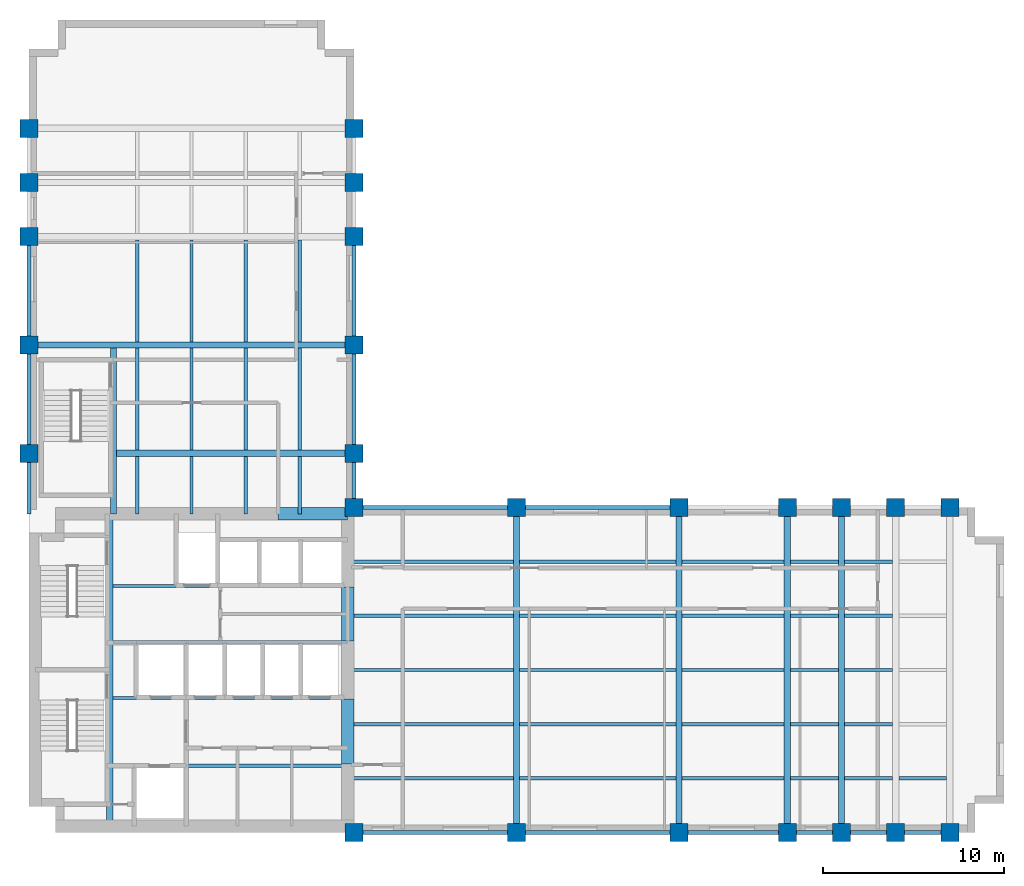
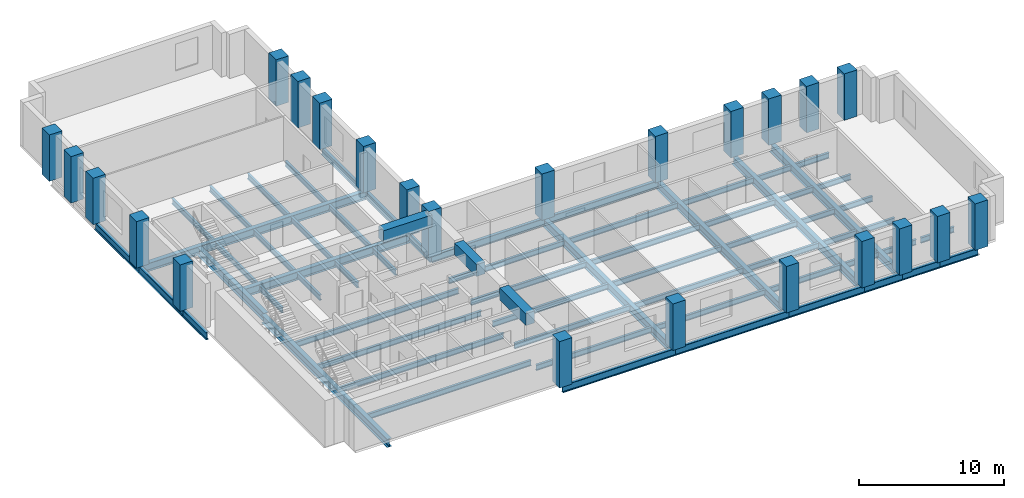
# One storey, part 1 of 7: 67 beams, 24 columns.
"""IFC4 building model written with IfcOpenShell, lengths in metres."""

from ifc_helpers import new_model, si_unit, direction, frame, origin, origin_2d, place, context, subcontext, project, spatial, rectangle, i_section, extrude, material, material_profile, profile_set, type_object, element, save


model = new_model("IFC4")

# Units and contexts
model_context = context("Model", 3, precision=1e-05, world=origin(), true_north=direction((0.0, 1.0)))
body_context = subcontext(model_context, "Body", "Model", "MODEL_VIEW")
ifc_project = project(units=[si_unit("LENGTHUNIT", "METRE"), si_unit("AREAUNIT", "SQUARE_METRE"), si_unit("VOLUMEUNIT", "CUBIC_METRE"), si_unit("PLANEANGLEUNIT", "RADIAN"), si_unit("MASSUNIT", "GRAM", prefix="KILO")], contexts=[model_context])

# Site, building, storey
site_placement = place(None, origin())
site = spatial("IfcSite", under=ifc_project, at=site_placement, CompositionType="ELEMENT")
building_placement = place(site_placement, origin())
building = spatial("IfcBuilding", under=site, at=building_placement, Name="Mawjdan Bourse Tower", CompositionType="ELEMENT")
storey_placement = place(building_placement, frame((0.0, 0.0, 136.199951171875)))
storey = spatial("IfcBuildingStorey", under=building, at=storey_placement, Name="L32", CompositionType="ELEMENT", Elevation=136.199951171875)

# Columns
ifc_material_1 = material(Name="Concrete C70/85", Category="concrete")
ifc_material_profile_1 = material_profile(ifc_material_1, rectangle(XDim=1.0, YDim=1.0, at=origin_2d()), Name="RC1000X1000")
ifc_profile_set_1 = profile_set([ifc_material_profile_1], Name="Concrete C70/85")
column_type = type_object("IfcColumnType", Name="COL-RC1000X1000", PredefinedType="COLUMN", material=ifc_profile_set_1)
for number, where, z_axis, x_axis, name in (
    (1, (24.0, 3.0, 0.0), (0.0, 0.0, 1.0), (1.0, 0.0, 0.0), "L32 Structural Column C-X240-Y30"),
    (2, (24.0, 21.0, 0.0), (0.0, 0.0, 1.0), (1.0, 0.0, 0.0), "L32 Structural Column C-X240-Y210"),
    (3, (33.0, 3.0, 0.0), (0.0, 0.0, 1.0), (1.0, 0.0, 0.0), "L32 Structural Column C-X330-Y30"),
    (4, (33.0, 21.0, 0.0), (0.0, 0.0, 1.0), (1.0, 0.0, 0.0), "L32 Structural Column C-X330-Y210"),
    (5, (42.0, 3.0, 0.0), (0.0, 0.0, 1.0), (1.0, 0.0, 0.0), "L32 Structural Column C-X420-Y30"),
    (6, (42.0, 21.0, 0.0), (0.0, 0.0, 1.0), (1.0, 0.0, 0.0), "L32 Structural Column C-X420-Y210"),
    (7, (48.0, 3.0, 0.0), (0.0, 0.0, 1.0), (1.0, 0.0, 0.0), "L32 Structural Column C-X480-Y30"),
    (8, (48.0, 21.0, 0.0), (0.0, 0.0, 1.0), (1.0, 0.0, 0.0), "L32 Structural Column C-X480-Y210"),
    (9, (51.0, 3.0, 0.0), (0.0, 0.0, 1.0), (1.0, 0.0, 0.0), "L32 Structural Column C-X510-Y30"),
    (10, (51.0, 21.0, 0.0), (0.0, 0.0, 1.0), (1.0, 0.0, 0.0), "L32 Structural Column C-X510-Y210"),
    (11, (54.0, 3.0, 0.0), (0.0, 0.0, 1.0), (1.0, 0.0, 0.0), "L32 Structural Column C-X540-Y30"),
    (12, (54.0, 21.0, 0.0), (0.0, 0.0, 1.0), (1.0, 0.0, 0.0), "L32 Structural Column C-X540-Y210"),
    (13, (57.0, 3.0, 0.0), (0.0, 0.0, 1.0), (1.0, 0.0, 0.0), "L32 Structural Column C-X570-Y30"),
    (14, (57.0, 21.0, 0.0), (0.0, 0.0, 1.0), (1.0, 0.0, 0.0), "L32 Structural Column C-X570-Y210"),
    (15, (6.0, 24.0, 0.0), (0.0, 0.0, 1.0), (1.0, 0.0, 0.0), "L32 Structural Column C-X60-Y240"),
    (16, (24.0, 24.0, 0.0), (0.0, 0.0, 1.0), (1.0, 0.0, 0.0), "L32 Structural Column C-X240-Y240"),
    (17, (6.0, 30.0, 0.0), (0.0, 0.0, 1.0), (1.0, 0.0, 0.0), "L32 Structural Column C-X60-Y300"),
    (18, (24.0, 30.0, 0.0), (0.0, 0.0, 1.0), (1.0, 0.0, 0.0), "L32 Structural Column C-X240-Y300"),
    (19, (6.0, 36.0, 0.0), (0.0, 0.0, 1.0), (1.0, 0.0, 0.0), "L32 Structural Column C-X60-Y360"),
    (20, (24.0, 36.0, 0.0), (0.0, 0.0, 1.0), (1.0, 0.0, 0.0), "L32 Structural Column C-X240-Y360"),
    (21, (6.0, 39.0, 0.0), (0.0, 0.0, 1.0), (1.0, 0.0, 0.0), "L32 Structural Column C-X60-Y390"),
    (22, (24.0, 39.0, 0.0), (0.0, 0.0, 1.0), (1.0, 0.0, 0.0), "L32 Structural Column C-X240-Y390"),
    (23, (6.0, 42.0, 0.0), (0.0, 0.0, 1.0), (1.0, 0.0, 0.0), "L32 Structural Column C-X60-Y420"),
    (24, (24.0, 42.0, 0.0), (0.0, 0.0, 1.0), (1.0, 0.0, 0.0), "L32 Structural Column C-X240-Y420"),
):
    element("IfcColumn", number, at=place(storey_placement, frame(where, z_axis=z_axis, x_axis=x_axis)), inside=storey, type_object=column_type, Name=name, PredefinedType="COLUMN", context=body_context, shape_type="SweptSolid", body=[
        extrude(rectangle(XDim=1.0, YDim=1.0, at=origin_2d()), origin(), (0.0, 0.0, 1.0), 3.900146484375),
    ])

# Beams
ifc_material_2 = material(Name="Structural Steel S355", Category="steel")
ifc_material_profile_2 = material_profile(ifc_material_2, i_section(OverallWidth=0.35498046875, OverallDepth=0.696044921875, WebThickness=0.015380859375, FlangeThickness=0.02490234375, FilletRadius=0.019775390625, at=origin_2d()), Name="W27X146")
ifc_profile_set_2 = profile_set([ifc_material_profile_2], Name="Structural Steel S355")
beam_type_1 = type_object("IfcBeamType", Name="GRD-W27X146", PredefinedType="BEAM", material=ifc_profile_set_2)
beam_1_placement = place(storey_placement, frame((10.47998046875, 3.35009765625, -0.5478515625), z_axis=(0.0, 1.0, 0.0), x_axis=(-1.0, 0.0, 0.0)))
element("IfcBeam", 25, at=beam_1_placement, inside=storey, type_object=beam_type_1, Name="L32 Core Stair Trimmer Girder 001", PredefinedType="BEAM", context=body_context, shape_type="SweptSolid", body=[
    extrude(i_section(OverallWidth=0.35498046875, OverallDepth=0.696044921875, WebThickness=0.015380859375, FlangeThickness=0.02490234375, FilletRadius=0.019775390625, at=origin_2d()), origin(), (0.0, 0.0, 1.0), 17.2998046875),
])
for number, where, z_axis, x_axis, name in (
    (26, (33.0, 3.0, -0.5478515625), (0.0, 1.0, 0.0), (-1.0, 0.0, 0.0), "L32 East Wing Clear-Span Girder 002"),
    (27, (42.0, 3.0, -0.5478515625), (0.0, 1.0, 0.0), (-1.0, 0.0, 0.0), "L32 East Wing Clear-Span Girder 003"),
    (28, (48.0, 3.0, -0.5478515625), (0.0, 1.0, 0.0), (-1.0, 0.0, 0.0), "L32 East Wing Clear-Span Girder 004"),
    (29, (51.0, 3.0, -0.5478515625), (0.0, 1.0, 0.0), (-1.0, 0.0, 0.0), "L32 East Wing Clear-Span Girder 005"),
):
    element("IfcBeam", number, at=place(storey_placement, frame(where, z_axis=z_axis, x_axis=x_axis)), inside=storey, type_object=beam_type_1, Name=name, PredefinedType="BEAM", context=body_context, shape_type="SweptSolid", body=[
        extrude(i_section(OverallWidth=0.35498046875, OverallDepth=0.696044921875, WebThickness=0.015380859375, FlangeThickness=0.02490234375, FilletRadius=0.019775390625, at=origin_2d()), origin(), (0.0, 0.0, 1.0), 18.0),
    ])
beam_2_placement = place(storey_placement, frame((10.679931640625, 20.64990234375, -0.5478515625), z_axis=(0.0, 1.0, 0.0), x_axis=(-1.0, 0.0, 0.0)))
element("IfcBeam", 30, at=beam_2_placement, inside=storey, type_object=beam_type_1, Name="L32 North Wing Stair Trimmer Girder 054", PredefinedType="BEAM", context=body_context, shape_type="SweptSolid", body=[
    extrude(i_section(OverallWidth=0.35498046875, OverallDepth=0.696044921875, WebThickness=0.015380859375, FlangeThickness=0.02490234375, FilletRadius=0.019775390625, at=origin_2d()), origin(), (0.0, 0.0, 1.0), 9.174560546875),
])
beam_3_placement = place(storey_placement, frame((10.85546875, 24.0, -0.5478515625), z_axis=(1.0, 0.0, 0.0), x_axis=(0.0, 1.0, 0.0)))
element("IfcBeam", 31, at=beam_3_placement, inside=storey, type_object=beam_type_1, Name="L32 North Wing Clear-Span Girder 055", PredefinedType="BEAM", context=body_context, shape_type="SweptSolid", body=[
    extrude(i_section(OverallWidth=0.35498046875, OverallDepth=0.696044921875, WebThickness=0.015380859375, FlangeThickness=0.02490234375, FilletRadius=0.019775390625, at=origin_2d()), origin(), (0.0, 0.0, 1.0), 13.14453125),
])
beam_4_placement = place(storey_placement, frame((6.0, 30.0, -0.5478515625), z_axis=(1.0, 0.0, 0.0), x_axis=(0.0, 1.0, 0.0)))
element("IfcBeam", 32, at=beam_4_placement, inside=storey, type_object=beam_type_1, Name="L32 North Wing Clear-Span Girder 056", PredefinedType="BEAM", context=body_context, shape_type="SweptSolid", body=[
    extrude(i_section(OverallWidth=0.35498046875, OverallDepth=0.696044921875, WebThickness=0.015380859375, FlangeThickness=0.02490234375, FilletRadius=0.019775390625, at=origin_2d()), origin(), (0.0, 0.0, 1.0), 18.0),
])
ifc_material_profile_3 = material_profile(ifc_material_2, i_section(OverallWidth=0.18994140625, OverallDepth=0.45703125, WebThickness=0.009033203125, FlangeThickness=0.014404296875, FilletRadius=0.01171875, at=origin_2d()), Name="W18X50")
ifc_profile_set_3 = profile_set([ifc_material_profile_3], Name="Structural Steel S355")
beam_type_2 = type_object("IfcBeamType", Name="JST-W18X50", PredefinedType="JOIST", material=ifc_profile_set_3)
beam_5_placement = place(storey_placement, frame((23.64990234375, 6.0, -0.428466796875), z_axis=(1.0, 0.0, 0.0), x_axis=(0.0, 1.0, 0.0)))
element("IfcBeam", 33, at=beam_5_placement, inside=storey, type_object=beam_type_2, Name="L32 East Wing Composite Joist 020", PredefinedType="JOIST", context=body_context, shape_type="SweptSolid", body=[
    extrude(i_section(OverallWidth=0.18994140625, OverallDepth=0.45703125, WebThickness=0.009033203125, FlangeThickness=0.014404296875, FilletRadius=0.01171875, at=origin_2d()), origin(), (0.0, 0.0, 1.0), 9.174560546875),
])
beam_6_placement = place(storey_placement, frame((33.175537109375, 6.0, -0.428466796875), z_axis=(1.0, 0.0, 0.0), x_axis=(0.0, 1.0, 0.0)))
element("IfcBeam", 34, at=beam_6_placement, inside=storey, type_object=beam_type_2, Name="L32 East Wing Composite Joist 021", PredefinedType="JOIST", context=body_context, shape_type="SweptSolid", body=[
    extrude(i_section(OverallWidth=0.18994140625, OverallDepth=0.45703125, WebThickness=0.009033203125, FlangeThickness=0.014404296875, FilletRadius=0.01171875, at=origin_2d()), origin(), (0.0, 0.0, 1.0), 8.64892578125),
])
beam_7_placement = place(storey_placement, frame((42.175537109375, 6.0, -0.428466796875), z_axis=(1.0, 0.0, 0.0), x_axis=(0.0, 1.0, 0.0)))
element("IfcBeam", 35, at=beam_7_placement, inside=storey, type_object=beam_type_2, Name="L32 East Wing Composite Joist 022", PredefinedType="JOIST", context=body_context, shape_type="SweptSolid", body=[
    extrude(i_section(OverallWidth=0.18994140625, OverallDepth=0.45703125, WebThickness=0.009033203125, FlangeThickness=0.014404296875, FilletRadius=0.01171875, at=origin_2d()), origin(), (0.0, 0.0, 1.0), 5.64892578125),
])
for number, where, z_axis, x_axis, name in (
    (36, (48.175537109375, 6.0, -0.428466796875), (1.0, 0.0, 0.0), (0.0, 1.0, 0.0), "L32 East Wing Composite Joist 023"),
    (37, (51.175537109375, 6.0, -0.428466796875), (1.0, 0.0, 0.0), (0.0, 1.0, 0.0), "L32 East Wing Composite Joist 024"),
    (38, (54.175537109375, 6.0, -0.428466796875), (1.0, 0.0, 0.0), (0.0, 1.0, 0.0), "L32 East Wing Composite Joist 025"),
):
    element("IfcBeam", number, at=place(storey_placement, frame(where, z_axis=z_axis, x_axis=x_axis)), inside=storey, type_object=beam_type_2, Name=name, PredefinedType="JOIST", context=body_context, shape_type="SweptSolid", body=[
        extrude(i_section(OverallWidth=0.18994140625, OverallDepth=0.45703125, WebThickness=0.009033203125, FlangeThickness=0.014404296875, FilletRadius=0.01171875, at=origin_2d()), origin(), (0.0, 0.0, 1.0), 2.64892578125),
    ])
beam_8_placement = place(storey_placement, frame((23.64990234375, 9.0, -0.428466796875), z_axis=(1.0, 0.0, 0.0), x_axis=(0.0, 1.0, 0.0)))
element("IfcBeam", 39, at=beam_8_placement, inside=storey, type_object=beam_type_2, Name="L32 East Wing Composite Joist 026", PredefinedType="JOIST", context=body_context, shape_type="SweptSolid", body=[
    extrude(i_section(OverallWidth=0.18994140625, OverallDepth=0.45703125, WebThickness=0.009033203125, FlangeThickness=0.014404296875, FilletRadius=0.01171875, at=origin_2d()), origin(), (0.0, 0.0, 1.0), 9.174560546875),
])
beam_9_placement = place(storey_placement, frame((33.175537109375, 9.0, -0.428466796875), z_axis=(1.0, 0.0, 0.0), x_axis=(0.0, 1.0, 0.0)))
element("IfcBeam", 40, at=beam_9_placement, inside=storey, type_object=beam_type_2, Name="L32 East Wing Composite Joist 027", PredefinedType="JOIST", context=body_context, shape_type="SweptSolid", body=[
    extrude(i_section(OverallWidth=0.18994140625, OverallDepth=0.45703125, WebThickness=0.009033203125, FlangeThickness=0.014404296875, FilletRadius=0.01171875, at=origin_2d()), origin(), (0.0, 0.0, 1.0), 8.64892578125),
])
beam_10_placement = place(storey_placement, frame((42.175537109375, 9.0, -0.428466796875), z_axis=(1.0, 0.0, 0.0), x_axis=(0.0, 1.0, 0.0)))
element("IfcBeam", 41, at=beam_10_placement, inside=storey, type_object=beam_type_2, Name="L32 East Wing Composite Joist 028", PredefinedType="JOIST", context=body_context, shape_type="SweptSolid", body=[
    extrude(i_section(OverallWidth=0.18994140625, OverallDepth=0.45703125, WebThickness=0.009033203125, FlangeThickness=0.014404296875, FilletRadius=0.01171875, at=origin_2d()), origin(), (0.0, 0.0, 1.0), 5.64892578125),
])
for number, where, z_axis, x_axis, name in (
    (42, (48.175537109375, 9.0, -0.428466796875), (1.0, 0.0, 0.0), (0.0, 1.0, 0.0), "L32 East Wing Composite Joist 029"),
    (43, (51.175537109375, 9.0, -0.428466796875), (1.0, 0.0, 0.0), (0.0, 1.0, 0.0), "L32 East Wing Composite Joist 030"),
):
    element("IfcBeam", number, at=place(storey_placement, frame(where, z_axis=z_axis, x_axis=x_axis)), inside=storey, type_object=beam_type_2, Name=name, PredefinedType="JOIST", context=body_context, shape_type="SweptSolid", body=[
        extrude(i_section(OverallWidth=0.18994140625, OverallDepth=0.45703125, WebThickness=0.009033203125, FlangeThickness=0.014404296875, FilletRadius=0.01171875, at=origin_2d()), origin(), (0.0, 0.0, 1.0), 2.64892578125),
    ])
beam_11_placement = place(storey_placement, frame((23.64990234375, 12.0, -0.428466796875), z_axis=(1.0, 0.0, 0.0), x_axis=(0.0, 1.0, 0.0)))
element("IfcBeam", 44, at=beam_11_placement, inside=storey, type_object=beam_type_2, Name="L32 East Wing Composite Joist 032", PredefinedType="JOIST", context=body_context, shape_type="SweptSolid", body=[
    extrude(i_section(OverallWidth=0.18994140625, OverallDepth=0.45703125, WebThickness=0.009033203125, FlangeThickness=0.014404296875, FilletRadius=0.01171875, at=origin_2d()), origin(), (0.0, 0.0, 1.0), 9.174560546875),
])
beam_12_placement = place(storey_placement, frame((33.175537109375, 12.0, -0.428466796875), z_axis=(1.0, 0.0, 0.0), x_axis=(0.0, 1.0, 0.0)))
element("IfcBeam", 45, at=beam_12_placement, inside=storey, type_object=beam_type_2, Name="L32 East Wing Composite Joist 033", PredefinedType="JOIST", context=body_context, shape_type="SweptSolid", body=[
    extrude(i_section(OverallWidth=0.18994140625, OverallDepth=0.45703125, WebThickness=0.009033203125, FlangeThickness=0.014404296875, FilletRadius=0.01171875, at=origin_2d()), origin(), (0.0, 0.0, 1.0), 8.64892578125),
])
beam_13_placement = place(storey_placement, frame((42.175537109375, 12.0, -0.428466796875), z_axis=(1.0, 0.0, 0.0), x_axis=(0.0, 1.0, 0.0)))
element("IfcBeam", 46, at=beam_13_placement, inside=storey, type_object=beam_type_2, Name="L32 East Wing Composite Joist 034", PredefinedType="JOIST", context=body_context, shape_type="SweptSolid", body=[
    extrude(i_section(OverallWidth=0.18994140625, OverallDepth=0.45703125, WebThickness=0.009033203125, FlangeThickness=0.014404296875, FilletRadius=0.01171875, at=origin_2d()), origin(), (0.0, 0.0, 1.0), 5.64892578125),
])
for number, where, z_axis, x_axis, name in (
    (47, (48.175537109375, 12.0, -0.428466796875), (1.0, 0.0, 0.0), (0.0, 1.0, 0.0), "L32 East Wing Composite Joist 035"),
    (48, (51.175537109375, 12.0, -0.428466796875), (1.0, 0.0, 0.0), (0.0, 1.0, 0.0), "L32 East Wing Composite Joist 036"),
):
    element("IfcBeam", number, at=place(storey_placement, frame(where, z_axis=z_axis, x_axis=x_axis)), inside=storey, type_object=beam_type_2, Name=name, PredefinedType="JOIST", context=body_context, shape_type="SweptSolid", body=[
        extrude(i_section(OverallWidth=0.18994140625, OverallDepth=0.45703125, WebThickness=0.009033203125, FlangeThickness=0.014404296875, FilletRadius=0.01171875, at=origin_2d()), origin(), (0.0, 0.0, 1.0), 2.64892578125),
    ])
beam_14_placement = place(storey_placement, frame((23.64990234375, 15.0, -0.428466796875), z_axis=(1.0, 0.0, 0.0), x_axis=(0.0, 1.0, 0.0)))
element("IfcBeam", 49, at=beam_14_placement, inside=storey, type_object=beam_type_2, Name="L32 East Wing Composite Joist 038", PredefinedType="JOIST", context=body_context, shape_type="SweptSolid", body=[
    extrude(i_section(OverallWidth=0.18994140625, OverallDepth=0.45703125, WebThickness=0.009033203125, FlangeThickness=0.014404296875, FilletRadius=0.01171875, at=origin_2d()), origin(), (0.0, 0.0, 1.0), 9.174560546875),
])
beam_15_placement = place(storey_placement, frame((33.175537109375, 15.0, -0.428466796875), z_axis=(1.0, 0.0, 0.0), x_axis=(0.0, 1.0, 0.0)))
element("IfcBeam", 50, at=beam_15_placement, inside=storey, type_object=beam_type_2, Name="L32 East Wing Composite Joist 039", PredefinedType="JOIST", context=body_context, shape_type="SweptSolid", body=[
    extrude(i_section(OverallWidth=0.18994140625, OverallDepth=0.45703125, WebThickness=0.009033203125, FlangeThickness=0.014404296875, FilletRadius=0.01171875, at=origin_2d()), origin(), (0.0, 0.0, 1.0), 8.64892578125),
])
beam_16_placement = place(storey_placement, frame((42.175537109375, 15.0, -0.428466796875), z_axis=(1.0, 0.0, 0.0), x_axis=(0.0, 1.0, 0.0)))
element("IfcBeam", 51, at=beam_16_placement, inside=storey, type_object=beam_type_2, Name="L32 East Wing Composite Joist 040", PredefinedType="JOIST", context=body_context, shape_type="SweptSolid", body=[
    extrude(i_section(OverallWidth=0.18994140625, OverallDepth=0.45703125, WebThickness=0.009033203125, FlangeThickness=0.014404296875, FilletRadius=0.01171875, at=origin_2d()), origin(), (0.0, 0.0, 1.0), 5.64892578125),
])
for number, where, z_axis, x_axis, name in (
    (52, (48.175537109375, 15.0, -0.428466796875), (1.0, 0.0, 0.0), (0.0, 1.0, 0.0), "L32 East Wing Composite Joist 041"),
    (53, (51.175537109375, 15.0, -0.428466796875), (1.0, 0.0, 0.0), (0.0, 1.0, 0.0), "L32 East Wing Composite Joist 042"),
):
    element("IfcBeam", number, at=place(storey_placement, frame(where, z_axis=z_axis, x_axis=x_axis)), inside=storey, type_object=beam_type_2, Name=name, PredefinedType="JOIST", context=body_context, shape_type="SweptSolid", body=[
        extrude(i_section(OverallWidth=0.18994140625, OverallDepth=0.45703125, WebThickness=0.009033203125, FlangeThickness=0.014404296875, FilletRadius=0.01171875, at=origin_2d()), origin(), (0.0, 0.0, 1.0), 2.64892578125),
    ])
beam_17_placement = place(storey_placement, frame((23.64990234375, 18.0, -0.428466796875), z_axis=(1.0, 0.0, 0.0), x_axis=(0.0, 1.0, 0.0)))
element("IfcBeam", 54, at=beam_17_placement, inside=storey, type_object=beam_type_2, Name="L32 East Wing Composite Joist 044", PredefinedType="JOIST", context=body_context, shape_type="SweptSolid", body=[
    extrude(i_section(OverallWidth=0.18994140625, OverallDepth=0.45703125, WebThickness=0.009033203125, FlangeThickness=0.014404296875, FilletRadius=0.01171875, at=origin_2d()), origin(), (0.0, 0.0, 1.0), 9.174560546875),
])
beam_18_placement = place(storey_placement, frame((33.175537109375, 18.0, -0.428466796875), z_axis=(1.0, 0.0, 0.0), x_axis=(0.0, 1.0, 0.0)))
element("IfcBeam", 55, at=beam_18_placement, inside=storey, type_object=beam_type_2, Name="L32 East Wing Composite Joist 045", PredefinedType="JOIST", context=body_context, shape_type="SweptSolid", body=[
    extrude(i_section(OverallWidth=0.18994140625, OverallDepth=0.45703125, WebThickness=0.009033203125, FlangeThickness=0.014404296875, FilletRadius=0.01171875, at=origin_2d()), origin(), (0.0, 0.0, 1.0), 8.64892578125),
])
beam_19_placement = place(storey_placement, frame((42.175537109375, 18.0, -0.428466796875), z_axis=(1.0, 0.0, 0.0), x_axis=(0.0, 1.0, 0.0)))
element("IfcBeam", 56, at=beam_19_placement, inside=storey, type_object=beam_type_2, Name="L32 East Wing Composite Joist 046", PredefinedType="JOIST", context=body_context, shape_type="SweptSolid", body=[
    extrude(i_section(OverallWidth=0.18994140625, OverallDepth=0.45703125, WebThickness=0.009033203125, FlangeThickness=0.014404296875, FilletRadius=0.01171875, at=origin_2d()), origin(), (0.0, 0.0, 1.0), 5.64892578125),
])
for number, where, z_axis, x_axis, name in (
    (57, (48.175537109375, 18.0, -0.428466796875), (1.0, 0.0, 0.0), (0.0, 1.0, 0.0), "L32 East Wing Composite Joist 047"),
    (58, (51.175537109375, 18.0, -0.428466796875), (1.0, 0.0, 0.0), (0.0, 1.0, 0.0), "L32 East Wing Composite Joist 048"),
):
    element("IfcBeam", number, at=place(storey_placement, frame(where, z_axis=z_axis, x_axis=x_axis)), inside=storey, type_object=beam_type_2, Name=name, PredefinedType="JOIST", context=body_context, shape_type="SweptSolid", body=[
        extrude(i_section(OverallWidth=0.18994140625, OverallDepth=0.45703125, WebThickness=0.009033203125, FlangeThickness=0.014404296875, FilletRadius=0.01171875, at=origin_2d()), origin(), (0.0, 0.0, 1.0), 2.64892578125),
    ])
for number, where, z_axis, x_axis, name in (
    (59, (10.655517578125, 6.699951171875, -0.428466796875), (1.0, 0.0, 0.0), (0.0, 1.0, 0.0), "L32 Core Floor Joist 050"),
    (60, (10.655517578125, 10.449951171875, -0.428466796875), (1.0, 0.0, 0.0), (0.0, 1.0, 0.0), "L32 Core Floor Joist 051"),
    (61, (10.655517578125, 13.550048828125, -0.428466796875), (1.0, 0.0, 0.0), (0.0, 1.0, 0.0), "L32 Core Floor Joist 052"),
    (62, (10.655517578125, 16.64990234375, -0.428466796875), (1.0, 0.0, 0.0), (0.0, 1.0, 0.0), "L32 Core Floor Joist 053"),
):
    element("IfcBeam", number, at=place(storey_placement, frame(where, z_axis=z_axis, x_axis=x_axis)), inside=storey, type_object=beam_type_2, Name=name, PredefinedType="JOIST", context=body_context, shape_type="SweptSolid", body=[
        extrude(i_section(OverallWidth=0.18994140625, OverallDepth=0.45703125, WebThickness=0.009033203125, FlangeThickness=0.014404296875, FilletRadius=0.01171875, at=origin_2d()), origin(), (0.0, 0.0, 1.0), 12.994384765625),
    ])
beam_20_placement = place(storey_placement, frame((12.0, 20.64990234375, -0.428466796875), z_axis=(0.0, 1.0, 0.0), x_axis=(-1.0, 0.0, 0.0)))
element("IfcBeam", 63, at=beam_20_placement, inside=storey, type_object=beam_type_2, Name="L32 North Wing Composite Joist 070", PredefinedType="JOIST", context=body_context, shape_type="SweptSolid", body=[
    extrude(i_section(OverallWidth=0.18994140625, OverallDepth=0.45703125, WebThickness=0.009033203125, FlangeThickness=0.014404296875, FilletRadius=0.01171875, at=origin_2d()), origin(), (0.0, 0.0, 1.0), 3.174560546875),
])
for number, where, z_axis, x_axis, name in (
    (64, (12.0, 24.175537109375, -0.428466796875), (0.0, 1.0, 0.0), (-1.0, 0.0, 0.0), "L32 North Wing Composite Joist 071"),
    (65, (12.0, 30.175537109375, -0.428466796875), (0.0, 1.0, 0.0), (-1.0, 0.0, 0.0), "L32 North Wing Composite Joist 072"),
):
    element("IfcBeam", number, at=place(storey_placement, frame(where, z_axis=z_axis, x_axis=x_axis)), inside=storey, type_object=beam_type_2, Name=name, PredefinedType="JOIST", context=body_context, shape_type="SweptSolid", body=[
        extrude(i_section(OverallWidth=0.18994140625, OverallDepth=0.45703125, WebThickness=0.009033203125, FlangeThickness=0.014404296875, FilletRadius=0.01171875, at=origin_2d()), origin(), (0.0, 0.0, 1.0), 5.64892578125),
    ])
beam_21_placement = place(storey_placement, frame((15.0, 20.64990234375, -0.428466796875), z_axis=(0.0, 1.0, 0.0), x_axis=(-1.0, 0.0, 0.0)))
element("IfcBeam", 66, at=beam_21_placement, inside=storey, type_object=beam_type_2, Name="L32 North Wing Composite Joist 075", PredefinedType="JOIST", context=body_context, shape_type="SweptSolid", body=[
    extrude(i_section(OverallWidth=0.18994140625, OverallDepth=0.45703125, WebThickness=0.009033203125, FlangeThickness=0.014404296875, FilletRadius=0.01171875, at=origin_2d()), origin(), (0.0, 0.0, 1.0), 3.174560546875),
])
for number, where, z_axis, x_axis, name in (
    (67, (15.0, 24.175537109375, -0.428466796875), (0.0, 1.0, 0.0), (-1.0, 0.0, 0.0), "L32 North Wing Composite Joist 076"),
    (68, (15.0, 30.175537109375, -0.428466796875), (0.0, 1.0, 0.0), (-1.0, 0.0, 0.0), "L32 North Wing Composite Joist 077"),
):
    element("IfcBeam", number, at=place(storey_placement, frame(where, z_axis=z_axis, x_axis=x_axis)), inside=storey, type_object=beam_type_2, Name=name, PredefinedType="JOIST", context=body_context, shape_type="SweptSolid", body=[
        extrude(i_section(OverallWidth=0.18994140625, OverallDepth=0.45703125, WebThickness=0.009033203125, FlangeThickness=0.014404296875, FilletRadius=0.01171875, at=origin_2d()), origin(), (0.0, 0.0, 1.0), 5.64892578125),
    ])
beam_22_placement = place(storey_placement, frame((18.0, 20.64990234375, -0.428466796875), z_axis=(0.0, 1.0, 0.0), x_axis=(-1.0, 0.0, 0.0)))
element("IfcBeam", 69, at=beam_22_placement, inside=storey, type_object=beam_type_2, Name="L32 North Wing Composite Joist 080", PredefinedType="JOIST", context=body_context, shape_type="SweptSolid", body=[
    extrude(i_section(OverallWidth=0.18994140625, OverallDepth=0.45703125, WebThickness=0.009033203125, FlangeThickness=0.014404296875, FilletRadius=0.01171875, at=origin_2d()), origin(), (0.0, 0.0, 1.0), 3.174560546875),
])
for number, where, z_axis, x_axis, name in (
    (70, (18.0, 24.175537109375, -0.428466796875), (0.0, 1.0, 0.0), (-1.0, 0.0, 0.0), "L32 North Wing Composite Joist 081"),
    (71, (18.0, 30.175537109375, -0.428466796875), (0.0, 1.0, 0.0), (-1.0, 0.0, 0.0), "L32 North Wing Composite Joist 082"),
):
    element("IfcBeam", number, at=place(storey_placement, frame(where, z_axis=z_axis, x_axis=x_axis)), inside=storey, type_object=beam_type_2, Name=name, PredefinedType="JOIST", context=body_context, shape_type="SweptSolid", body=[
        extrude(i_section(OverallWidth=0.18994140625, OverallDepth=0.45703125, WebThickness=0.009033203125, FlangeThickness=0.014404296875, FilletRadius=0.01171875, at=origin_2d()), origin(), (0.0, 0.0, 1.0), 5.64892578125),
    ])
beam_23_placement = place(storey_placement, frame((21.0, 20.64990234375, -0.428466796875), z_axis=(0.0, 1.0, 0.0), x_axis=(-1.0, 0.0, 0.0)))
element("IfcBeam", 72, at=beam_23_placement, inside=storey, type_object=beam_type_2, Name="L32 North Wing Composite Joist 085", PredefinedType="JOIST", context=body_context, shape_type="SweptSolid", body=[
    extrude(i_section(OverallWidth=0.18994140625, OverallDepth=0.45703125, WebThickness=0.009033203125, FlangeThickness=0.014404296875, FilletRadius=0.01171875, at=origin_2d()), origin(), (0.0, 0.0, 1.0), 3.174560546875),
])
for number, where, z_axis, x_axis, name in (
    (73, (21.0, 24.175537109375, -0.428466796875), (0.0, 1.0, 0.0), (-1.0, 0.0, 0.0), "L32 North Wing Composite Joist 086"),
    (74, (21.0, 30.175537109375, -0.428466796875), (0.0, 1.0, 0.0), (-1.0, 0.0, 0.0), "L32 North Wing Composite Joist 087"),
):
    element("IfcBeam", number, at=place(storey_placement, frame(where, z_axis=z_axis, x_axis=x_axis)), inside=storey, type_object=beam_type_2, Name=name, PredefinedType="JOIST", context=body_context, shape_type="SweptSolid", body=[
        extrude(i_section(OverallWidth=0.18994140625, OverallDepth=0.45703125, WebThickness=0.009033203125, FlangeThickness=0.014404296875, FilletRadius=0.01171875, at=origin_2d()), origin(), (0.0, 0.0, 1.0), 5.64892578125),
    ])
ifc_material_profile_4 = material_profile(ifc_material_1, rectangle(XDim=0.699951171875, YDim=1.0, at=origin_2d()), Name="RCB700X1000")
ifc_profile_set_4 = profile_set([ifc_material_profile_4], Name="Concrete C70/85")
beam_type_3 = type_object("IfcBeamType", Name="LNT-RCB700X1000", PredefinedType="LINTEL", material=ifc_profile_set_4)
beam_24_placement = place(storey_placement, frame((23.64990234375, 6.800048828125, 3.199951171875), z_axis=(0.0, 1.0, 0.0), x_axis=(-1.0, 0.0, 0.0)))
element("IfcBeam", 75, at=beam_24_placement, inside=storey, type_object=beam_type_3, Name="L32 Coupled Core Lintel CB-E1", PredefinedType="LINTEL", context=body_context, shape_type="SweptSolid", body=[
    extrude(rectangle(XDim=0.699951171875, YDim=1.0, at=origin_2d()), origin(), (0.0, 0.0, 1.0), 3.599853515625),
])
beam_25_placement = place(storey_placement, frame((23.64990234375, 13.60009765625, 3.199951171875), z_axis=(0.0, 1.0, 0.0), x_axis=(-1.0, 0.0, 0.0)))
element("IfcBeam", 76, at=beam_25_placement, inside=storey, type_object=beam_type_3, Name="L32 Coupled Core Lintel CB-E2", PredefinedType="LINTEL", context=body_context, shape_type="SweptSolid", body=[
    extrude(rectangle(XDim=0.699951171875, YDim=1.0, at=origin_2d()), origin(), (0.0, 0.0, 1.0), 3.0),
])
beam_26_placement = place(storey_placement, frame((19.800048828125, 20.64990234375, 3.199951171875), z_axis=(1.0, 0.0, 0.0), x_axis=(0.0, 1.0, 0.0)))
element("IfcBeam", 77, at=beam_26_placement, inside=storey, type_object=beam_type_3, Name="L32 Coupled Core Lintel CB-N1", PredefinedType="LINTEL", context=body_context, shape_type="SweptSolid", body=[
    extrude(rectangle(XDim=0.699951171875, YDim=1.0, at=origin_2d()), origin(), (0.0, 0.0, 1.0), 3.849853515625),
])
ifc_material_profile_5 = material_profile(ifc_material_2, i_section(OverallWidth=0.22998046875, OverallDepth=0.616943359375, WebThickness=0.01318359375, FlangeThickness=0.022216796875, FilletRadius=0.017822265625, at=origin_2d()), Name="W24X94")
ifc_profile_set_5 = profile_set([ifc_material_profile_5], Name="Structural Steel S355")
beam_type_4 = type_object("IfcBeamType", Name="SPN-W24X94", PredefinedType="SPANDREL", material=ifc_profile_set_5)
for number, where, z_axis, x_axis, name in (
    (78, (24.0, 3.0, -0.508544921875), (1.0, 0.0, 0.0), (0.0, 1.0, 0.0), "L32 Perimeter Masonry-Shelf Spandrel 008"),
    (79, (33.0, 3.0, -0.508544921875), (1.0, 0.0, 0.0), (0.0, 1.0, 0.0), "L32 Perimeter Masonry-Shelf Spandrel 009"),
):
    element("IfcBeam", number, at=place(storey_placement, frame(where, z_axis=z_axis, x_axis=x_axis)), inside=storey, type_object=beam_type_4, Name=name, PredefinedType="SPANDREL", context=body_context, shape_type="SweptSolid", body=[
        extrude(i_section(OverallWidth=0.22998046875, OverallDepth=0.616943359375, WebThickness=0.01318359375, FlangeThickness=0.022216796875, FilletRadius=0.017822265625, at=origin_2d()), origin(), (0.0, 0.0, 1.0), 9.0),
    ])
beam_27_placement = place(storey_placement, frame((42.0, 3.0, -0.508544921875), z_axis=(1.0, 0.0, 0.0), x_axis=(0.0, 1.0, 0.0)))
element("IfcBeam", 80, at=beam_27_placement, inside=storey, type_object=beam_type_4, Name="L32 Perimeter Masonry-Shelf Spandrel 010", PredefinedType="SPANDREL", context=body_context, shape_type="SweptSolid", body=[
    extrude(i_section(OverallWidth=0.22998046875, OverallDepth=0.616943359375, WebThickness=0.01318359375, FlangeThickness=0.022216796875, FilletRadius=0.017822265625, at=origin_2d()), origin(), (0.0, 0.0, 1.0), 6.0),
])
for number, where, z_axis, x_axis, name in (
    (81, (48.0, 3.0, -0.508544921875), (1.0, 0.0, 0.0), (0.0, 1.0, 0.0), "L32 Perimeter Masonry-Shelf Spandrel 011"),
    (82, (51.0, 3.0, -0.508544921875), (1.0, 0.0, 0.0), (0.0, 1.0, 0.0), "L32 Perimeter Masonry-Shelf Spandrel 012"),
    (83, (54.0, 3.0, -0.508544921875), (1.0, 0.0, 0.0), (0.0, 1.0, 0.0), "L32 Perimeter Masonry-Shelf Spandrel 013"),
):
    element("IfcBeam", number, at=place(storey_placement, frame(where, z_axis=z_axis, x_axis=x_axis)), inside=storey, type_object=beam_type_4, Name=name, PredefinedType="SPANDREL", context=body_context, shape_type="SweptSolid", body=[
        extrude(i_section(OverallWidth=0.22998046875, OverallDepth=0.616943359375, WebThickness=0.01318359375, FlangeThickness=0.022216796875, FilletRadius=0.017822265625, at=origin_2d()), origin(), (0.0, 0.0, 1.0), 3.0),
    ])
for number, where, z_axis, x_axis, name in (
    (84, (24.0, 21.0, -0.508544921875), (1.0, 0.0, 0.0), (0.0, 1.0, 0.0), "L32 Perimeter Masonry-Shelf Spandrel 014"),
    (85, (33.0, 21.0, -0.508544921875), (1.0, 0.0, 0.0), (0.0, 1.0, 0.0), "L32 Perimeter Masonry-Shelf Spandrel 015"),
):
    element("IfcBeam", number, at=place(storey_placement, frame(where, z_axis=z_axis, x_axis=x_axis)), inside=storey, type_object=beam_type_4, Name=name, PredefinedType="SPANDREL", context=body_context, shape_type="SweptSolid", body=[
        extrude(i_section(OverallWidth=0.22998046875, OverallDepth=0.616943359375, WebThickness=0.01318359375, FlangeThickness=0.022216796875, FilletRadius=0.017822265625, at=origin_2d()), origin(), (0.0, 0.0, 1.0), 9.0),
    ])
beam_28_placement = place(storey_placement, frame((6.0, 20.64990234375, -0.508544921875), z_axis=(0.0, 1.0, 0.0), x_axis=(-1.0, 0.0, 0.0)))
element("IfcBeam", 86, at=beam_28_placement, inside=storey, type_object=beam_type_4, Name="L32 North Wing Spandrel 060", PredefinedType="SPANDREL", context=body_context, shape_type="SweptSolid", body=[
    extrude(i_section(OverallWidth=0.22998046875, OverallDepth=0.616943359375, WebThickness=0.01318359375, FlangeThickness=0.022216796875, FilletRadius=0.017822265625, at=origin_2d()), origin(), (0.0, 0.0, 1.0), 3.35009765625),
])
for number, where, z_axis, x_axis, name in (
    (87, (6.0, 24.0, -0.508544921875), (0.0, 1.0, 0.0), (-1.0, 0.0, 0.0), "L32 North Wing Spandrel 061"),
    (88, (6.0, 30.0, -0.508544921875), (0.0, 1.0, 0.0), (-1.0, 0.0, 0.0), "L32 North Wing Spandrel 062"),
):
    element("IfcBeam", number, at=place(storey_placement, frame(where, z_axis=z_axis, x_axis=x_axis)), inside=storey, type_object=beam_type_4, Name=name, PredefinedType="SPANDREL", context=body_context, shape_type="SweptSolid", body=[
        extrude(i_section(OverallWidth=0.22998046875, OverallDepth=0.616943359375, WebThickness=0.01318359375, FlangeThickness=0.022216796875, FilletRadius=0.017822265625, at=origin_2d()), origin(), (0.0, 0.0, 1.0), 6.0),
    ])
beam_29_placement = place(storey_placement, frame((24.0, 21.0, -0.508544921875), z_axis=(0.0, 1.0, 0.0), x_axis=(-1.0, 0.0, 0.0)))
element("IfcBeam", 89, at=beam_29_placement, inside=storey, type_object=beam_type_4, Name="L32 North Wing Spandrel 065", PredefinedType="SPANDREL", context=body_context, shape_type="SweptSolid", body=[
    extrude(i_section(OverallWidth=0.22998046875, OverallDepth=0.616943359375, WebThickness=0.01318359375, FlangeThickness=0.022216796875, FilletRadius=0.017822265625, at=origin_2d()), origin(), (0.0, 0.0, 1.0), 3.0),
])
for number, where, z_axis, x_axis, name in (
    (90, (24.0, 24.0, -0.508544921875), (0.0, 1.0, 0.0), (-1.0, 0.0, 0.0), "L32 North Wing Spandrel 066"),
    (91, (24.0, 30.0, -0.508544921875), (0.0, 1.0, 0.0), (-1.0, 0.0, 0.0), "L32 North Wing Spandrel 067"),
):
    element("IfcBeam", number, at=place(storey_placement, frame(where, z_axis=z_axis, x_axis=x_axis)), inside=storey, type_object=beam_type_4, Name=name, PredefinedType="SPANDREL", context=body_context, shape_type="SweptSolid", body=[
        extrude(i_section(OverallWidth=0.22998046875, OverallDepth=0.616943359375, WebThickness=0.01318359375, FlangeThickness=0.022216796875, FilletRadius=0.017822265625, at=origin_2d()), origin(), (0.0, 0.0, 1.0), 6.0),
    ])

save(model, "model.ifc")
